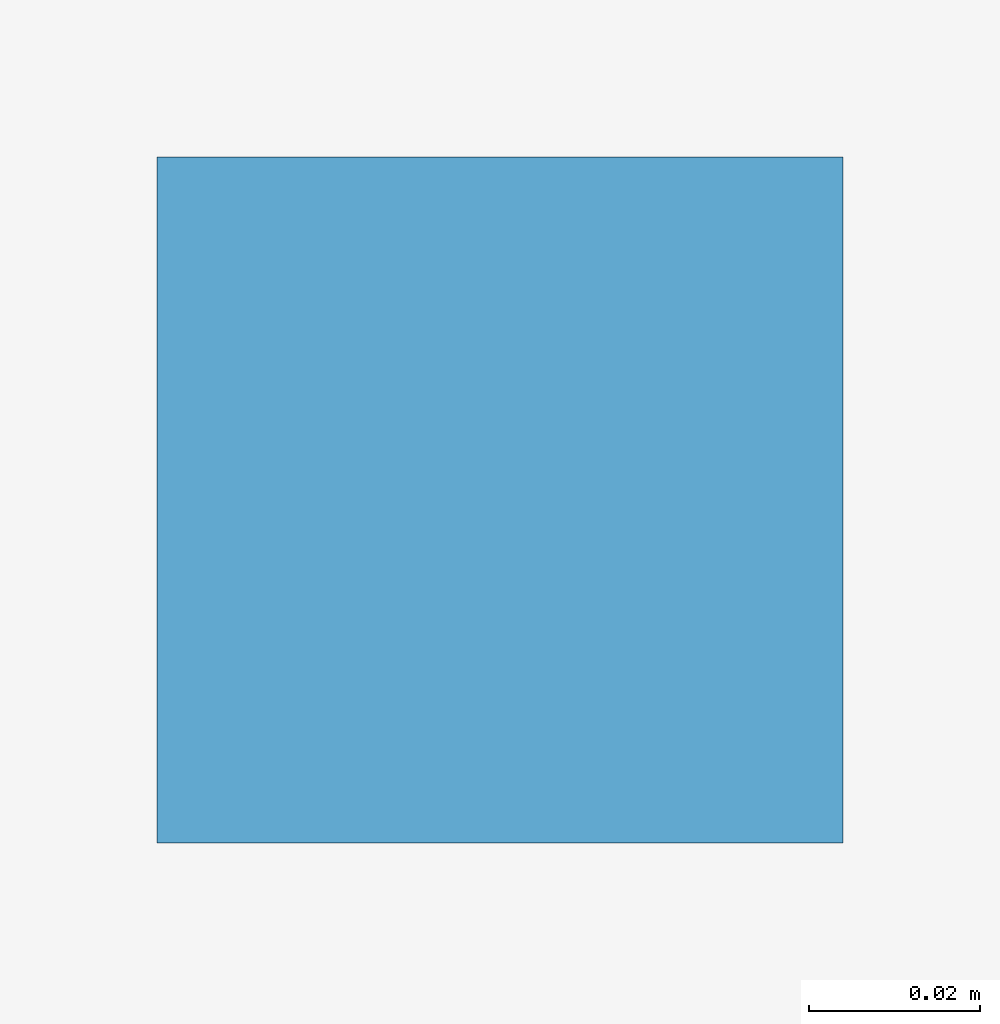
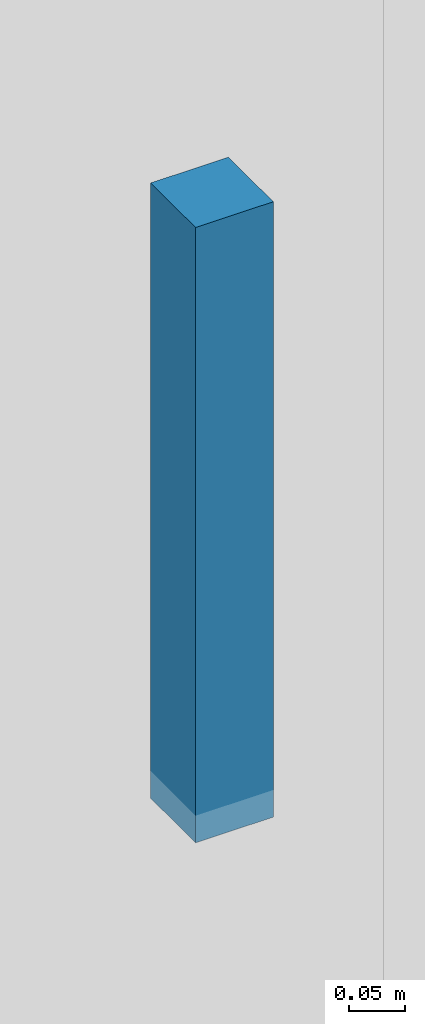
# One storey, part 11 of 15: 1 discrete accessory.
"""IFC4 building model written with IfcOpenShell, lengths in metres."""

from ifc_helpers import new_model, si_unit, direction, frame, origin, origin_2d, place, context, subcontext, project, spatial, rectangle, extrude, source, transform, mapped, material, type_object, element, save


model = new_model("IFC4")

# Units and contexts
model_context = context("Model", 3, precision=1e-05, world=origin(), true_north=direction((0.0, 1.0)))
body_context = subcontext(model_context, "Body", "Model", "MODEL_VIEW")
ifc_project = project(units=[si_unit("LENGTHUNIT", "METRE"), si_unit("AREAUNIT", "SQUARE_METRE"), si_unit("VOLUMEUNIT", "CUBIC_METRE"), si_unit("PLANEANGLEUNIT", "RADIAN"), si_unit("MASSUNIT", "GRAM", prefix="KILO")], contexts=[model_context])

# Site, building, storey
site_placement = place(None, origin())
site = spatial("IfcSite", under=ifc_project, at=site_placement, CompositionType="ELEMENT")
building_placement = place(site_placement, origin())
building = spatial("IfcBuilding", under=site, at=building_placement, Name="Giltprow Tower", CompositionType="ELEMENT")
storey_placement = place(building_placement, frame((0.0, 0.0, 173.699951171875)))
storey = spatial("IfcBuildingStorey", under=building, at=storey_placement, Name="L43", CompositionType="ELEMENT", Elevation=173.699951171875)

# Discrete accessory
ifc_material = material(Name="Structural steel Q355B", Category="steel")
discrete_accessory_type = type_object("IfcDiscreteAccessoryType", Name="ACC-CLG-HANGER", PredefinedType="BRACKET", material=ifc_material)
shared_shape = source(origin(), body_context, "Body", "SweptSolid", [
    extrude(rectangle(XDim=0.080078125, YDim=0.080078125, at=origin_2d()), origin(), (0.0, 0.0, 1.0), 0.669921875),
])
discrete_accessory_placement = place(storey_placement, frame((35.0, 35.35009765625, 2.6201171875), z_axis=(0.0, 0.0, 1.0), x_axis=(1.0, 0.0, 0.0)))
element("IfcDiscreteAccessory", 1, at=discrete_accessory_placement, inside=storey, type_object=discrete_accessory_type, Name="L43 Hotel Corridor Gypsum Ceiling Suspension Hanger", PredefinedType="BRACKET", context=body_context, shape_type="MappedRepresentation", body=[
    mapped(shared_shape, transform((0.0, 0.0, 0.0), x_axis=(1.0, 0.0, 0.0), y_axis=(0.0, 1.0, 0.0), z_axis=(0.0, 0.0, 1.0), scale=1.0)),
])

save(model, "model.ifc")
